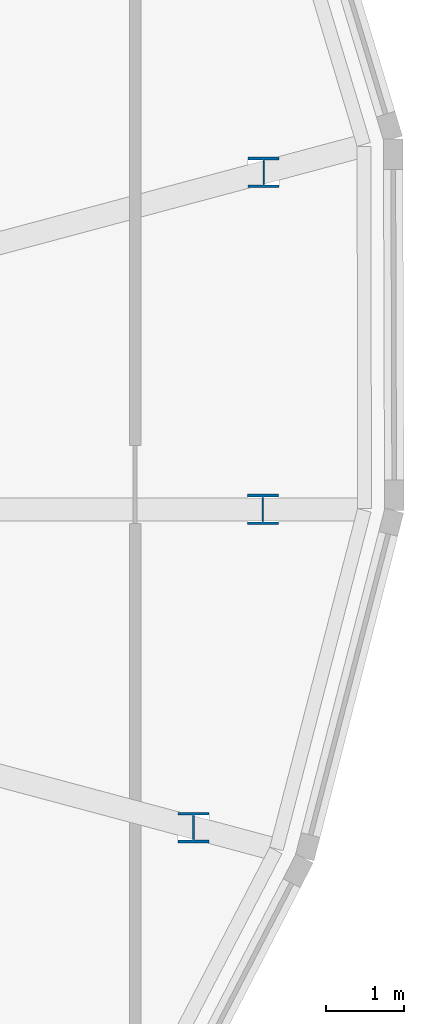
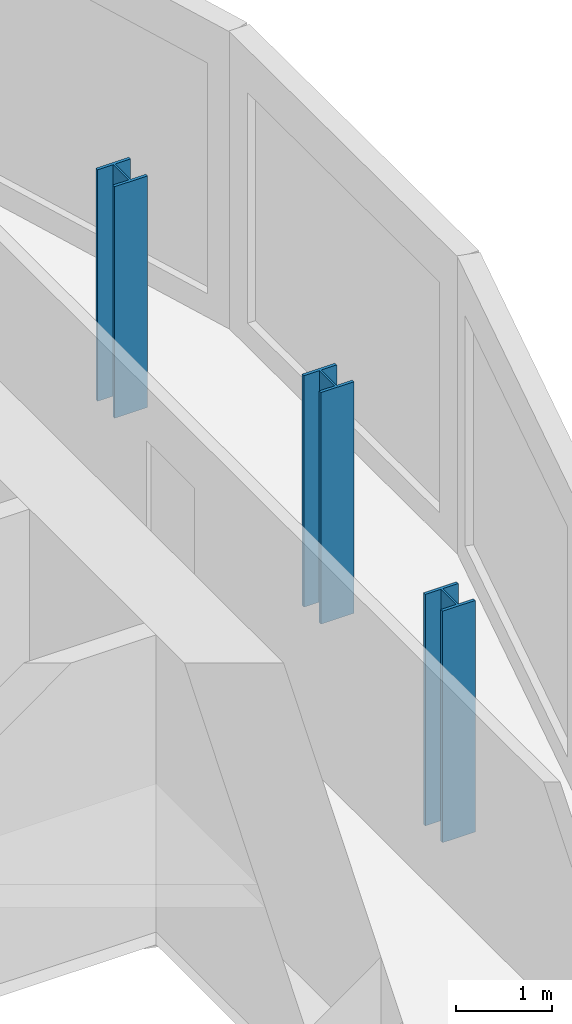
# One storey, part 2 of 36: 3 columns.
"""IFC4 building model written with IfcOpenShell, lengths in metres."""

from ifc_helpers import new_model, si_unit, direction, frame, origin, origin_2d, place, context, subcontext, project, spatial, i_section, extrude, material, material_profile, profile_set, type_object, element, save


model = new_model("IFC4")

# Units and contexts
model_context = context("Model", 3, precision=1e-05, world=origin(), true_north=direction((0.0, 1.0)))
body_context = subcontext(model_context, "Body", "Model", "MODEL_VIEW")
ifc_project = project(units=[si_unit("LENGTHUNIT", "METRE"), si_unit("AREAUNIT", "SQUARE_METRE"), si_unit("VOLUMEUNIT", "CUBIC_METRE"), si_unit("PLANEANGLEUNIT", "RADIAN"), si_unit("MASSUNIT", "GRAM", prefix="KILO")], contexts=[model_context])

# Site, building, storey
site_placement = place(None, origin())
site = spatial("IfcSite", under=ifc_project, at=site_placement, CompositionType="ELEMENT")
building_placement = place(site_placement, origin())
building = spatial("IfcBuilding", under=site, at=building_placement, Name="Rimbun Link Towers", CompositionType="ELEMENT")
storey_placement = place(building_placement, frame((0.0, 0.0, 33.800048828125)))
storey = spatial("IfcBuildingStorey", under=building, at=storey_placement, Name="L07", CompositionType="ELEMENT", Elevation=33.800048828125)

# Columns
ifc_material = material(Name="Steel S355J2", Category="steel")
ifc_material_profile = material_profile(ifc_material, i_section(OverallWidth=0.39892578125, OverallDepth=0.3935546875, WebThickness=0.022705078125, FlangeThickness=0.03662109375, at=origin_2d()), Name="UC 356x406x287")
ifc_profile_set = profile_set([ifc_material_profile], Name="Steel S355J2")
column_type = type_object("IfcColumnType", Name="UC 356x406x287", PredefinedType="COLUMN", material=ifc_profile_set)
for number, where, z_axis, x_axis, name in (
    (1, (47.0244140625, -4.0927734375, -0.16015625), (0.0, 0.0, 1.0), (1.0, 0.0, 0.0), "Crease post T2 L07 20"),
    (2, (47.91796875, 0.0, -0.16015625), (0.0, 0.0, 1.0), (1.0, 0.0, 0.0), "Crease post T2 L07 21"),
    (3, (47.92822265625, 4.3349609375, -0.16015625), (0.0, 0.0, 1.0), (1.0, 0.0, 0.0), "Crease post T2 L07 22"),
):
    element("IfcColumn", number, at=place(storey_placement, frame(where, z_axis=z_axis, x_axis=x_axis)), inside=storey, type_object=column_type, Name=name, PredefinedType="COLUMN", context=body_context, shape_type="SweptSolid", body=[
        extrude(i_section(OverallWidth=0.39892578125, OverallDepth=0.3935546875, WebThickness=0.022705078125, FlangeThickness=0.03662109375, at=origin_2d()), origin(), (0.0, 0.0, 1.0), 2.95947265625),
    ])

save(model, "model.ifc")
